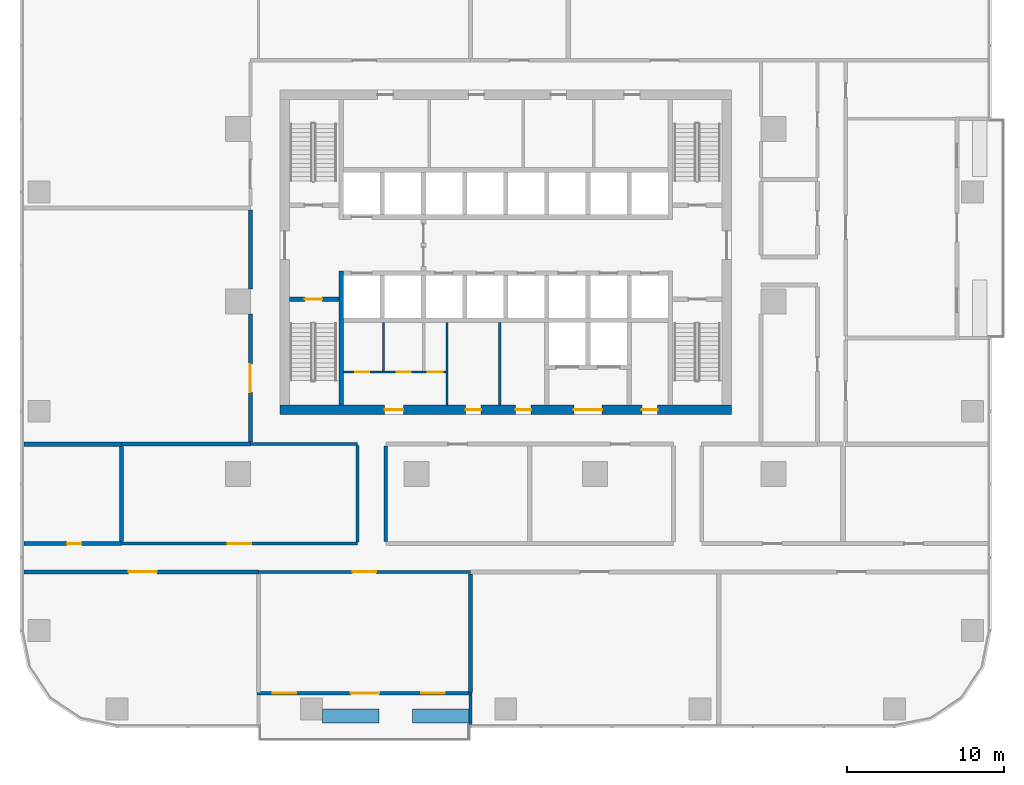
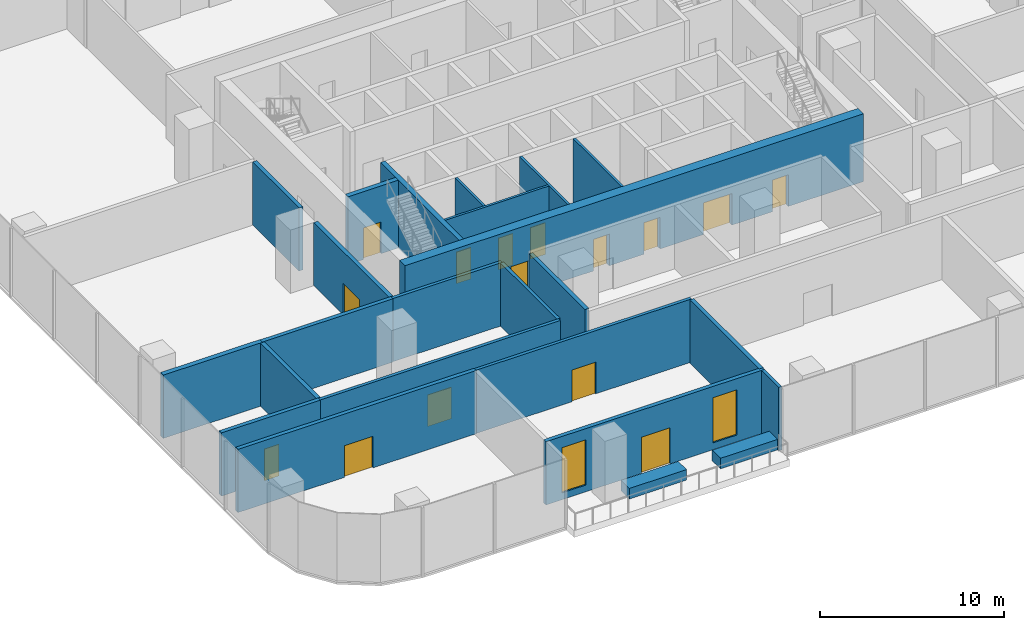
# One storey, part 7 of 15: 24 walls, 15 doors, 2 windows, 17 openings.
"""IFC4 building model written with IfcOpenShell, lengths in metres."""

from ifc_helpers import new_model, si_unit, direction, frame, frame_2d, origin, place, context, subcontext, project, spatial, rectangle, extrude, material, layer, layer_set, type_object, element, fill, save


model = new_model("IFC4")

# Units and contexts
model_context = context("Model", 3, precision=1e-05, world=origin(), true_north=direction((0.0, 1.0)))
body_context = subcontext(model_context, "Body", "Model", "MODEL_VIEW")
ifc_project = project(units=[si_unit("LENGTHUNIT", "METRE"), si_unit("AREAUNIT", "SQUARE_METRE"), si_unit("VOLUMEUNIT", "CUBIC_METRE"), si_unit("PLANEANGLEUNIT", "RADIAN"), si_unit("MASSUNIT", "GRAM", prefix="KILO")], contexts=[model_context])

# Site, building, storey
site_placement = place(None, origin())
site = spatial("IfcSite", under=ifc_project, at=site_placement, CompositionType="ELEMENT")
building_placement = place(site_placement, origin())
building = spatial("IfcBuilding", under=site, at=building_placement, Name="Mopane Tessera Tower", CompositionType="ELEMENT")
storey_placement = place(building_placement, frame((0.0, 0.0, 83.800048828125)))
storey = spatial("IfcBuildingStorey", under=building, at=storey_placement, Name="L16", CompositionType="ELEMENT", Elevation=83.800048828125)

# Wall, openings, doors
ifc_material_1 = material(Name="Fire-rated gypsum board partition")
ifc_layer_1 = layer(ifc_material_1, 0.14990234375)
ifc_layer_set_1 = layer_set([ifc_layer_1], Name="Fire-rated gypsum board partition")
wall_type_1 = type_object("IfcWallType", Name="Core room partition 150 mm", PredefinedType="PARTITIONING", material=ifc_layer_set_1)
wall_1_placement = place(storey_placement, frame((-10.35009765625, -4.5, 0.0), z_axis=(0.0, 0.0, 1.0), x_axis=(1.0, 0.0, 0.0)))
wall_1 = element("IfcWall", 1, at=wall_1_placement, inside=storey, type_object=wall_type_1, Name="L16 WC partition", PredefinedType="PARTITIONING", context=body_context, shape_type="SweptSolid", body=[
    extrude(rectangle(XDim=6.525146484375, YDim=0.14990234375, at=frame_2d((3.2626953125, 0.0))), origin(), (0.0, 0.0, 1.0), 4.5),
])
opening_1_placement = place(wall_1_placement, frame((0.75, 0.0, 0.0)))
opening_1 = element("IfcOpeningElement", 2, at=opening_1_placement, cuts=wall_1, Name="Opening WD1", PredefinedType="OPENING", context=body_context, shape_type="SweptSolid", body=[
    extrude(rectangle(XDim=0.89990234375, YDim=2.10009765625, at=frame_2d((0.449951171875, 1.050048828125))), frame((0.0, 0.0869140625, 0.0), z_axis=(0.0, -1.0, 0.0), x_axis=(1.0, 0.0, 0.0)), (0.0, 0.0, 1.0), 0.173828125),
])
opening_2_placement = place(wall_1_placement, frame((3.382568359375, 0.0, 0.0)))
opening_2 = element("IfcOpeningElement", 3, at=opening_2_placement, cuts=wall_1, Name="Opening WD1", PredefinedType="OPENING", context=body_context, shape_type="SweptSolid", body=[
    extrude(rectangle(XDim=0.89990234375, YDim=2.10009765625, at=frame_2d((0.449951171875, 1.050048828125))), frame((0.0, 0.0869140625, 0.0), z_axis=(0.0, -1.0, 0.0), x_axis=(1.0, 0.0, 0.0)), (0.0, 0.0, 1.0), 0.173828125),
])
opening_3_placement = place(wall_1_placement, frame((5.382568359375, 0.0, 0.0)))
opening_3 = element("IfcOpeningElement", 4, at=opening_3_placement, cuts=wall_1, Name="Opening WD2", PredefinedType="OPENING", context=body_context, shape_type="SweptSolid", body=[
    extrude(rectangle(XDim=0.949951171875, YDim=2.10009765625, at=frame_2d((0.47509765625, 1.050048828125))), frame((0.0, 0.0869140625, 0.0), z_axis=(0.0, -1.0, 0.0), x_axis=(1.0, 0.0, 0.0)), (0.0, 0.0, 1.0), 0.173828125),
])
ifc_material_2 = material(Name="Timber door", Category="wood")
door_type_1 = type_object("IfcDoorType", Name="Accessible WC door 950 x 2100", OperationType="SINGLE_SWING_LEFT", PredefinedType="DOOR", material=ifc_material_2)
door_1_placement = place(opening_3_placement, origin())
door_1 = element("IfcDoor", 5, at=door_1_placement, inside=storey, type_object=door_type_1, Name="L16 Accessible WC door", OperationType="SINGLE_SWING_LEFT", OverallHeight=2.10009765625, OverallWidth=0.949951171875, PredefinedType="DOOR", context=body_context, shape_type="SweptSolid", body=[
    extrude(rectangle(XDim=0.949951171875, YDim=2.10009765625, at=frame_2d((0.47509765625, 1.050048828125))), frame((0.0, 0.02490234375, 0.0), z_axis=(0.0, -1.0, 0.0), x_axis=(1.0, 0.0, 0.0)), (0.0, 0.0, 1.0), 0.050048828125),
])
fill(opening_3, door_1)
ifc_material_3 = material(Name="Timber door", Category="wood")
door_type_2 = type_object("IfcDoorType", Name="WC cubicle door 900 x 2100", OperationType="SINGLE_SWING_LEFT", PredefinedType="DOOR", material=ifc_material_3)
door_2_placement = place(opening_1_placement, origin())
door_2 = element("IfcDoor", 6, at=door_2_placement, inside=storey, type_object=door_type_2, Name="L16 Men's WC door", OperationType="SINGLE_SWING_LEFT", OverallHeight=2.10009765625, OverallWidth=0.89990234375, PredefinedType="DOOR", context=body_context, shape_type="SweptSolid", body=[
    extrude(rectangle(XDim=0.89990234375, YDim=2.10009765625, at=frame_2d((0.449951171875, 1.050048828125))), frame((0.0, 0.02490234375, 0.0), z_axis=(0.0, -1.0, 0.0), x_axis=(1.0, 0.0, 0.0)), (0.0, 0.0, 1.0), 0.050048828125),
])
fill(opening_1, door_2)
door_3_placement = place(opening_2_placement, origin())
door_3 = element("IfcDoor", 7, at=door_3_placement, inside=storey, type_object=door_type_2, Name="L16 Women's WC door", OperationType="SINGLE_SWING_LEFT", OverallHeight=2.10009765625, OverallWidth=0.89990234375, PredefinedType="DOOR", context=body_context, shape_type="SweptSolid", body=[
    extrude(rectangle(XDim=0.89990234375, YDim=2.10009765625, at=frame_2d((0.449951171875, 1.050048828125))), frame((0.0, 0.02490234375, 0.0), z_axis=(0.0, -1.0, 0.0), x_axis=(1.0, 0.0, 0.0)), (0.0, 0.0, 1.0), 0.050048828125),
])
fill(opening_2, door_3)

# Walls
wall_2_placement = place(storey_placement, frame((-7.800048828125, -4.425048828125, 0.0), z_axis=(0.0, 0.0, 1.0), x_axis=(0.0, 1.0, 0.0)))
element("IfcWall", 8, at=wall_2_placement, inside=storey, type_object=wall_type_1, Name="L16 WC partition", PredefinedType="PARTITIONING", context=body_context, shape_type="SweptSolid", body=[
    extrude(rectangle(XDim=3.074951171875, YDim=0.14990234375, at=frame_2d((1.53759765625, 0.0))), origin(), (0.0, 0.0, 1.0), 4.5),
])
for number, where, z_axis, x_axis, name in (
    (9, (-3.75, -6.60009765625, 0.0), (0.0, 0.0, 1.0), (0.0, 1.0, 0.0), "L16 Room partition"),
    (10, (-0.375, -6.60009765625, 0.0), (0.0, 0.0, 1.0), (0.0, 1.0, 0.0), "L16 Room partition"),
):
    element("IfcWall", number, at=place(storey_placement, frame(where, z_axis=z_axis, x_axis=x_axis)), inside=storey, type_object=wall_type_1, Name=name, PredefinedType="PARTITIONING", context=body_context, shape_type="SweptSolid", body=[
        extrude(rectangle(XDim=5.25, YDim=0.14990234375, at=frame_2d((2.625, 0.0))), origin(), (0.0, 0.0, 1.0), 4.5),
    ])

# Wall, openings, doors
ifc_material_4 = material(Name="Concrete C70/85", Category="concrete")
ifc_layer_2 = layer(ifc_material_4, 0.60009765625)
ifc_layer_set_2 = layer_set([ifc_layer_2], Name="Concrete C70/85")
wall_type_2 = type_object("IfcWallType", Name="Core shear wall 600 mm", PredefinedType="SHEAR", material=ifc_layer_set_2)
wall_3_placement = place(storey_placement, frame((-14.39990234375, -6.89990234375, 0.0), z_axis=(0.0, 0.0, 1.0), x_axis=(1.0, 0.0, 0.0)))
wall_3 = element("IfcWall", 11, at=wall_3_placement, inside=storey, type_object=wall_type_2, Name="L16 Core wall south", PredefinedType="SHEAR", context=body_context, shape_type="SweptSolid", body=[
    extrude(rectangle(XDim=28.7998046875, YDim=0.60009765625, at=frame_2d((14.39990234375, 0.0))), origin(), (0.0, 0.0, 1.0), 4.5),
])
opening_4_placement = place(wall_3_placement, frame((6.675048828125, 0.0, 0.0)))
opening_4 = element("IfcOpeningElement", 12, at=opening_4_placement, cuts=wall_3, Name="Opening WD3", PredefinedType="OPENING", context=body_context, shape_type="SweptSolid", body=[
    extrude(rectangle(XDim=1.199951171875, YDim=2.10009765625, at=frame_2d((0.60009765625, 1.050048828125))), frame((0.0, 0.31201171875, 0.0), z_axis=(0.0, -1.0, 0.0), x_axis=(1.0, 0.0, 0.0)), (0.0, 0.0, 1.0), 0.6240234375),
])
opening_5_placement = place(wall_3_placement, frame((11.83740234375, 0.0, 0.0)))
opening_5 = element("IfcOpeningElement", 13, at=opening_5_placement, cuts=wall_3, Name="Opening RD1", PredefinedType="OPENING", context=body_context, shape_type="SweptSolid", body=[
    extrude(rectangle(XDim=1.0, YDim=2.10009765625, at=frame_2d((0.5, 1.050048828125))), frame((0.0, 0.31201171875, 0.0), z_axis=(0.0, -1.0, 0.0), x_axis=(1.0, 0.0, 0.0)), (0.0, 0.0, 1.0), 0.6240234375),
])
opening_6_placement = place(wall_3_placement, frame((15.02490234375, 0.0, 0.0)))
opening_6 = element("IfcOpeningElement", 14, at=opening_6_placement, cuts=wall_3, Name="Opening RD1", PredefinedType="OPENING", context=body_context, shape_type="SweptSolid", body=[
    extrude(rectangle(XDim=1.0, YDim=2.10009765625, at=frame_2d((0.5, 1.050048828125))), frame((0.0, 0.31201171875, 0.0), z_axis=(0.0, -1.0, 0.0), x_axis=(1.0, 0.0, 0.0)), (0.0, 0.0, 1.0), 0.6240234375),
])
opening_7_placement = place(wall_3_placement, frame((18.75, 0.0, 0.0)))
opening_7 = element("IfcOpeningElement", 15, at=opening_7_placement, cuts=wall_3, Name="Opening SD2", PredefinedType="OPENING", context=body_context, shape_type="SweptSolid", body=[
    extrude(rectangle(XDim=1.800048828125, YDim=2.10009765625, at=frame_2d((0.89990234375, 1.050048828125))), frame((0.0, 0.31201171875, 0.0), z_axis=(0.0, -1.0, 0.0), x_axis=(1.0, 0.0, 0.0)), (0.0, 0.0, 1.0), 0.6240234375),
])
opening_8_placement = place(wall_3_placement, frame((23.08740234375, 0.0, 0.0)))
opening_8 = element("IfcOpeningElement", 16, at=opening_8_placement, cuts=wall_3, Name="Opening RD1", PredefinedType="OPENING", context=body_context, shape_type="SweptSolid", body=[
    extrude(rectangle(XDim=1.0, YDim=2.10009765625, at=frame_2d((0.5, 1.050048828125))), frame((0.0, 0.31201171875, 0.0), z_axis=(0.0, -1.0, 0.0), x_axis=(1.0, 0.0, 0.0)), (0.0, 0.0, 1.0), 0.6240234375),
])
ifc_material_5 = material(Name="Steel fire door", Category="steel")
door_type_3 = type_object("IfcDoorType", Name="Core entrance double door 1800 x 2100", OperationType="DOUBLE_DOOR_SINGLE_SWING", PredefinedType="DOOR", material=ifc_material_5)
door_4_placement = place(opening_7_placement, origin())
door_4 = element("IfcDoor", 17, at=door_4_placement, inside=storey, type_object=door_type_3, Name="L16 Service lobby door", OperationType="DOUBLE_DOOR_SINGLE_SWING", OverallHeight=2.10009765625, OverallWidth=1.800048828125, PredefinedType="DOOR", context=body_context, shape_type="SweptSolid", body=[
    extrude(rectangle(XDim=1.800048828125, YDim=2.10009765625, at=frame_2d((0.89990234375, 1.050048828125))), frame((0.0, 0.02490234375, 0.0), z_axis=(0.0, -1.0, 0.0), x_axis=(1.0, 0.0, 0.0)), (0.0, 0.0, 1.0), 0.050048828125),
])
fill(opening_7, door_4)
ifc_material_6 = material(Name="Timber door", Category="wood")
door_type_4 = type_object("IfcDoorType", Name="Core room door 1000 x 2100", OperationType="SINGLE_SWING_LEFT", PredefinedType="DOOR", material=ifc_material_6)
door_5_placement = place(opening_5_placement, origin())
door_5 = element("IfcDoor", 18, at=door_5_placement, inside=storey, type_object=door_type_4, Name="L16 Room door", OperationType="SINGLE_SWING_LEFT", OverallHeight=2.10009765625, OverallWidth=1.0, PredefinedType="DOOR", context=body_context, shape_type="SweptSolid", body=[
    extrude(rectangle(XDim=1.0, YDim=2.10009765625, at=frame_2d((0.5, 1.050048828125))), frame((0.0, 0.02490234375, 0.0), z_axis=(0.0, -1.0, 0.0), x_axis=(1.0, 0.0, 0.0)), (0.0, 0.0, 1.0), 0.050048828125),
])
fill(opening_5, door_5)
door_6_placement = place(opening_6_placement, origin())
door_6 = element("IfcDoor", 19, at=door_6_placement, inside=storey, type_object=door_type_4, Name="L16 Room door", OperationType="SINGLE_SWING_LEFT", OverallHeight=2.10009765625, OverallWidth=1.0, PredefinedType="DOOR", context=body_context, shape_type="SweptSolid", body=[
    extrude(rectangle(XDim=1.0, YDim=2.10009765625, at=frame_2d((0.5, 1.050048828125))), frame((0.0, 0.02490234375, 0.0), z_axis=(0.0, -1.0, 0.0), x_axis=(1.0, 0.0, 0.0)), (0.0, 0.0, 1.0), 0.050048828125),
])
fill(opening_6, door_6)
door_7_placement = place(opening_8_placement, origin())
door_7 = element("IfcDoor", 20, at=door_7_placement, inside=storey, type_object=door_type_4, Name="L16 Room door", OperationType="SINGLE_SWING_LEFT", OverallHeight=2.10009765625, OverallWidth=1.0, PredefinedType="DOOR", context=body_context, shape_type="SweptSolid", body=[
    extrude(rectangle(XDim=1.0, YDim=2.10009765625, at=frame_2d((0.5, 1.050048828125))), frame((0.0, 0.02490234375, 0.0), z_axis=(0.0, -1.0, 0.0), x_axis=(1.0, 0.0, 0.0)), (0.0, 0.0, 1.0), 0.050048828125),
])
fill(opening_8, door_7)
ifc_material_7 = material(Name="Timber door", Category="wood")
door_type_5 = type_object("IfcDoorType", Name="WC lobby door 1200 x 2100", OperationType="SINGLE_SWING_LEFT", PredefinedType="DOOR", material=ifc_material_7)
door_8_placement = place(opening_4_placement, origin())
door_8 = element("IfcDoor", 21, at=door_8_placement, inside=storey, type_object=door_type_5, Name="L16 WC lobby door", OperationType="SINGLE_SWING_LEFT", OverallHeight=2.10009765625, OverallWidth=1.199951171875, PredefinedType="DOOR", context=body_context, shape_type="SweptSolid", body=[
    extrude(rectangle(XDim=1.199951171875, YDim=2.10009765625, at=frame_2d((0.60009765625, 1.050048828125))), frame((0.0, 0.02490234375, 0.0), z_axis=(0.0, -1.0, 0.0), x_axis=(1.0, 0.0, 0.0)), (0.0, 0.0, 1.0), 0.050048828125),
])
fill(opening_4, door_8)

# Wall
ifc_material_8 = material(Name="Concrete C60/75", Category="concrete")
ifc_layer_3 = layer(ifc_material_8, 0.300048828125)
ifc_layer_set_3 = layer_set([ifc_layer_3], Name="Concrete C60/75")
wall_type_3 = type_object("IfcWallType", Name="Core spine wall 300 mm", PredefinedType="SHEAR", material=ifc_layer_set_3)
wall_4_placement = place(storey_placement, frame((-10.5, -6.60009765625, 0.0), z_axis=(0.0, 0.0, 1.0), x_axis=(0.0, 1.0, 0.0)))
element("IfcWall", 22, at=wall_4_placement, inside=storey, type_object=wall_type_3, Name="L16 Core spine wall", PredefinedType="SHEAR", context=body_context, shape_type="SweptSolid", body=[
    extrude(rectangle(XDim=8.550048828125, YDim=0.300048828125, at=frame_2d((4.27490234375, 0.0))), origin(), (0.0, 0.0, 1.0), 4.5),
])

# Wall, opening, door
ifc_material_9 = material(Name="Gypsum board on steel studs, two layers each face, mineral wool infill", Category="steel")
ifc_layer_4 = layer(ifc_material_9, 0.199951171875)
ifc_layer_set_4 = layer_set([ifc_layer_4], Name="Gypsum board on steel studs, two layers each face, mineral wool infill")
wall_type_4 = type_object("IfcWallType", Name="Gypsum board corridor wall 200, rated EI 60", PredefinedType="PARTITIONING", material=ifc_layer_set_4)
wall_5_placement = place(storey_placement, frame((-15.780029296875, -17.25, 0.0), z_axis=(0.0, 0.0, 1.0), x_axis=(1.0, 0.0, 0.0)))
wall_5 = element("IfcWall", 23, at=wall_5_placement, inside=storey, type_object=wall_type_4, Name="Partition L16:000", PredefinedType="PARTITIONING", context=body_context, shape_type="SweptSolid", body=[
    extrude(rectangle(XDim=13.525146484375, YDim=0.199951171875, at=frame_2d((6.7626953125, 0.0))), origin(), (0.0, 0.0, 1.0), 4.199951171875),
])
opening_9_placement = place(wall_5_placement, frame((6.012451171875, 0.0, 0.0)))
opening_9 = element("IfcOpeningElement", 24, at=opening_9_placement, cuts=wall_5, Name="Opening L16-20", PredefinedType="OPENING", context=body_context, shape_type="SweptSolid", body=[
    extrude(rectangle(XDim=1.5, YDim=2.10009765625, at=frame_2d((0.75, 1.050048828125))), frame((0.0, 0.112060546875, 0.0), z_axis=(0.0, -1.0, 0.0), x_axis=(1.0, 0.0, 0.0)), (0.0, 0.0, 1.0), 0.223876953125),
])
ifc_material_10 = material(Name="Timber veneered steel-framed fire door", Category="steel")
door_type_6 = type_object("IfcDoorType", Name="Fire door pair FD60 1500 x 2100", OperationType="DOUBLE_DOOR_SINGLE_SWING", PredefinedType="DOOR", material=ifc_material_10)
door_9_placement = place(opening_9_placement, origin())
door_9 = element("IfcDoor", 25, at=door_9_placement, inside=storey, type_object=door_type_6, Name="Door L16-20", ObjectType="D17A", OperationType="DOUBLE_DOOR_SINGLE_SWING", OverallHeight=2.10009765625, OverallWidth=1.5, PredefinedType="DOOR", context=body_context, shape_type="SweptSolid", body=[
    extrude(rectangle(XDim=1.5, YDim=2.10009765625, at=frame_2d((0.75, 1.050048828125))), frame((0.0, 0.02490234375, 0.0), z_axis=(0.0, -1.0, 0.0), x_axis=(1.0, 0.0, 0.0)), (0.0, 0.0, 1.0), 0.050048828125),
])
fill(opening_9, door_9)

wall_6_placement = place(storey_placement, frame((-24.52490234375, -15.449951171875, 0.0), z_axis=(0.0, 0.0, 1.0), x_axis=(1.0, 0.0, 0.0)))
wall_6 = element("IfcWall", 26, at=wall_6_placement, inside=storey, type_object=wall_type_4, Name="Partition L16:003", PredefinedType="PARTITIONING", context=body_context, shape_type="SweptSolid", body=[
    extrude(rectangle(XDim=15.06982421875, YDim=0.199951171875, at=frame_2d((7.534912109375, 0.0))), origin(), (0.0, 0.0, 1.0), 4.199951171875),
])
opening_10_placement = place(wall_6_placement, frame((6.784912109375, 0.0, 0.0)))
opening_10 = element("IfcOpeningElement", 27, at=opening_10_placement, cuts=wall_6, Name="Opening L16-15", PredefinedType="OPENING", context=body_context, shape_type="SweptSolid", body=[
    extrude(rectangle(XDim=1.5, YDim=2.10009765625, at=frame_2d((0.75, 1.050048828125))), frame((0.0, 0.112060546875, 0.0), z_axis=(0.0, -1.0, 0.0), x_axis=(1.0, 0.0, 0.0)), (0.0, 0.0, 1.0), 0.223876953125),
])
door_10_placement = place(opening_10_placement, origin())
door_10 = element("IfcDoor", 28, at=door_10_placement, inside=storey, type_object=door_type_6, Name="Door L16-15", ObjectType="D17A", OperationType="DOUBLE_DOOR_SINGLE_SWING", OverallHeight=2.10009765625, OverallWidth=1.5, PredefinedType="DOOR", context=body_context, shape_type="SweptSolid", body=[
    extrude(rectangle(XDim=1.5, YDim=2.10009765625, at=frame_2d((0.75, 1.050048828125))), frame((0.0, 0.02490234375, 0.0), z_axis=(0.0, -1.0, 0.0), x_axis=(1.0, 0.0, 0.0)), (0.0, 0.0, 1.0), 0.050048828125),
])
fill(opening_10, door_10)

# Walls
wall_7_placement = place(storey_placement, frame((-16.300048828125, -9.10009765625, 0.0), z_axis=(0.0, 0.0, 1.0), x_axis=(1.0, 0.0, 0.0)))
element("IfcWall", 29, at=wall_7_placement, inside=storey, type_object=wall_type_4, Name="Partition L16:007", PredefinedType="PARTITIONING", context=body_context, shape_type="SweptSolid", body=[
    extrude(rectangle(XDim=6.844970703125, YDim=0.199951171875, at=frame_2d((3.42236328125, 0.0))), origin(), (0.0, 0.0, 1.0), 4.199951171875),
])
wall_8_placement = place(storey_placement, frame((-9.455078125, -15.35009765625, 0.0), z_axis=(0.0, 0.0, 1.0), x_axis=(0.0, 1.0, 0.0)))
element("IfcWall", 30, at=wall_8_placement, inside=storey, type_object=wall_type_4, Name="Partition L16:030", PredefinedType="PARTITIONING", context=body_context, shape_type="SweptSolid", body=[
    extrude(rectangle(XDim=6.150146484375, YDim=0.199951171875, at=frame_2d((3.0751953125, 0.0))), origin(), (0.0, 0.0, 1.0), 4.199951171875),
])

# Wall, opening, door
ifc_material_11 = material(Name="Concrete C50/60", Category="concrete")
ifc_layer_5 = layer(ifc_material_11, 0.300048828125)
ifc_layer_set_5 = layer_set([ifc_layer_5], Name="Concrete C50/60")
wall_type_5 = type_object("IfcWallType", Name="Lift and stair shaft wall 300 mm", PredefinedType="SOLIDWALL", material=ifc_layer_set_5)
wall_9_placement = place(storey_placement, frame((-13.800048828125, 0.14990234375, 0.0), z_axis=(0.0, 0.0, 1.0), x_axis=(1.0, 0.0, 0.0)))
wall_9 = element("IfcWall", 31, at=wall_9_placement, inside=storey, type_object=wall_type_5, Name="L16 Stair enclosure wall", PredefinedType="SOLIDWALL", context=body_context, shape_type="SweptSolid", body=[
    extrude(rectangle(XDim=3.150146484375, YDim=0.300048828125, at=frame_2d((1.5751953125, 0.0))), origin(), (0.0, 0.0, 1.0), 4.5),
])
opening_11_placement = place(wall_9_placement, frame((0.97509765625, 0.0, 0.0)))
opening_11 = element("IfcOpeningElement", 32, at=opening_11_placement, cuts=wall_9, Name="Opening SD1", PredefinedType="OPENING", context=body_context, shape_type="SweptSolid", body=[
    extrude(rectangle(XDim=1.10009765625, YDim=2.10009765625, at=frame_2d((0.550048828125, 1.050048828125))), frame((0.0, 0.162109375, 0.0), z_axis=(0.0, -1.0, 0.0), x_axis=(1.0, 0.0, 0.0)), (0.0, 0.0, 1.0), 0.323974609375),
])
ifc_material_12 = material(Name="Steel fire door", Category="steel")
door_type_7 = type_object("IfcDoorType", Name="Stair fire door 1100 x 2100", OperationType="SINGLE_SWING_LEFT", PredefinedType="DOOR", material=ifc_material_12)
door_11_placement = place(opening_11_placement, origin())
door_11 = element("IfcDoor", 33, at=door_11_placement, inside=storey, type_object=door_type_7, Name="L16 Stair door ST1", OperationType="SINGLE_SWING_LEFT", OverallHeight=2.10009765625, OverallWidth=1.10009765625, PredefinedType="DOOR", context=body_context, shape_type="SweptSolid", body=[
    extrude(rectangle(XDim=1.10009765625, YDim=2.10009765625, at=frame_2d((0.550048828125, 1.050048828125))), frame((0.0, 0.02490234375, 0.0), z_axis=(0.0, -1.0, 0.0), x_axis=(1.0, 0.0, 0.0)), (0.0, 0.0, 1.0), 0.050048828125),
])
fill(opening_11, door_11)

# Walls
ifc_material_13 = material(Name="Reinforced concrete C32/40 with waterproofing", Category="concrete")
ifc_layer_6 = layer(ifc_material_13, 0.89990234375)
ifc_layer_set_6 = layer_set([ifc_layer_6], Name="Reinforced concrete C32/40 with waterproofing")
wall_type_6 = type_object("IfcWallType", Name="Planter trough 3600 x 900", PredefinedType="STANDARD", material=ifc_layer_set_6)
for number, where, z_axis, x_axis, name in (
    (34, (-11.679931640625, -26.449951171875, 0.0), (0.0, 0.0, 1.0), (1.0, 0.0, 0.0), "e:nw:L16:N3:pl0"),
    (35, (-5.95458984375, -26.449951171875, 0.0), (0.0, 0.0, 1.0), (1.0, 0.0, 0.0), "e:nw:L16:N3:pl1"),
):
    element("IfcWall", number, at=place(storey_placement, frame(where, z_axis=z_axis, x_axis=x_axis)), inside=storey, type_object=wall_type_6, Name=name, PredefinedType="STANDARD", context=body_context, shape_type="SweptSolid", body=[
        extrude(rectangle(XDim=3.60009765625, YDim=0.89990234375, at=frame_2d((1.800048828125, 0.0))), origin(), (0.0, 0.0, 1.0), 0.699951171875),
    ])
ifc_material_14 = material(Name="Plastered concrete blockwork C20/25", Category="masonry")
ifc_layer_7 = layer(ifc_material_14, 0.300048828125)
ifc_layer_set_7 = layer_set([ifc_layer_7], Name="Plastered concrete blockwork C20/25")
wall_type_7 = type_object("IfcWallType", Name="Plastered blockwork separation wall 300, rated EI 120", PredefinedType="PARTITIONING", material=ifc_layer_set_7)
wall_10_placement = place(storey_placement, frame((-30.75, -9.10009765625, 0.0), z_axis=(0.0, 0.0, 1.0), x_axis=(1.0, 0.0, 0.0)))
element("IfcWall", 36, at=wall_10_placement, inside=storey, type_object=wall_type_7, Name="Partition L16:012", PredefinedType="PARTITIONING", context=body_context, shape_type="SweptSolid", body=[
    extrude(rectangle(XDim=6.22509765625, YDim=0.300048828125, at=frame_2d((3.112548828125, 0.0))), origin(), (0.0, 0.0, 1.0), 4.199951171875),
])

# Wall, opening, door
ifc_material_15 = material(Name="Plastered concrete blockwork C20/25", Category="masonry")
ifc_layer_8 = layer(ifc_material_15, 0.25)
ifc_layer_set_8 = layer_set([ifc_layer_8], Name="Plastered concrete blockwork C20/25")
wall_type_8 = type_object("IfcWallType", Name="Plastered blockwork wall 250, rated EI 120", PredefinedType="PARTITIONING", material=ifc_layer_set_8)
wall_11_placement = place(storey_placement, frame((-30.75, -17.25, 0.0), z_axis=(0.0, 0.0, 1.0), x_axis=(1.0, 0.0, 0.0)))
wall_11 = element("IfcWall", 37, at=wall_11_placement, inside=storey, type_object=wall_type_8, Name="Partition L16:001", PredefinedType="PARTITIONING", context=body_context, shape_type="SweptSolid", body=[
    extrude(rectangle(XDim=14.969970703125, YDim=0.25, at=frame_2d((7.48486328125, 0.0))), origin(), (0.0, 0.0, 1.0), 4.199951171875),
])
opening_12_placement = place(wall_11_placement, frame((6.68505859375, 0.0, 0.0)))
opening_12 = element("IfcOpeningElement", 38, at=opening_12_placement, cuts=wall_11, Name="Opening L16-05", PredefinedType="OPENING", context=body_context, shape_type="SweptSolid", body=[
    extrude(rectangle(XDim=1.800048828125, YDim=2.10009765625, at=frame_2d((0.89990234375, 1.050048828125))), frame((0.0, 0.136962890625, 0.0), z_axis=(0.0, -1.0, 0.0), x_axis=(1.0, 0.0, 0.0)), (0.0, 0.0, 1.0), 0.27392578125),
])
ifc_material_16 = material(Name="Timber veneered steel-framed fire door", Category="steel")
door_type_8 = type_object("IfcDoorType", Name="Fire door pair FD120 1800 x 2100", OperationType="DOUBLE_DOOR_SINGLE_SWING", PredefinedType="DOOR", material=ifc_material_16)
door_12_placement = place(opening_12_placement, origin())
door_12 = element("IfcDoor", 39, at=door_12_placement, inside=storey, type_object=door_type_8, Name="Door L16-05", ObjectType="D20B", OperationType="DOUBLE_DOOR_SINGLE_SWING", OverallHeight=2.10009765625, OverallWidth=1.800048828125, PredefinedType="DOOR", context=body_context, shape_type="SweptSolid", body=[
    extrude(rectangle(XDim=1.800048828125, YDim=2.10009765625, at=frame_2d((0.89990234375, 1.050048828125))), frame((0.0, 0.02490234375, 0.0), z_axis=(0.0, -1.0, 0.0), x_axis=(1.0, 0.0, 0.0)), (0.0, 0.0, 1.0), 0.050048828125),
])
fill(opening_12, door_12)

wall_12_placement = place(storey_placement, frame((-30.75, -15.449951171875, 0.0), z_axis=(0.0, 0.0, 1.0), x_axis=(1.0, 0.0, 0.0)))
wall_12 = element("IfcWall", 40, at=wall_12_placement, inside=storey, type_object=wall_type_8, Name="Partition L16:004", PredefinedType="PARTITIONING", context=body_context, shape_type="SweptSolid", body=[
    extrude(rectangle(XDim=6.22509765625, YDim=0.25, at=frame_2d((3.112548828125, 0.0))), origin(), (0.0, 0.0, 1.0), 4.199951171875),
])
opening_13_placement = place(wall_12_placement, frame((2.762451171875, 0.0, 0.0)))
opening_13 = element("IfcOpeningElement", 41, at=opening_13_placement, cuts=wall_12, Name="Opening L16-12", PredefinedType="OPENING", context=body_context, shape_type="SweptSolid", body=[
    extrude(rectangle(XDim=0.89990234375, YDim=2.10009765625, at=frame_2d((0.449951171875, 1.050048828125))), frame((0.0, 0.136962890625, 0.0), z_axis=(0.0, -1.0, 0.0), x_axis=(1.0, 0.0, 0.0)), (0.0, 0.0, 1.0), 0.27392578125),
])
ifc_material_17 = material(Name="Timber veneered steel-framed fire door", Category="steel")
door_type_9 = type_object("IfcDoorType", Name="Fire door FD120 900 x 2100", OperationType="SINGLE_SWING_LEFT", PredefinedType="DOOR", material=ifc_material_17)
door_13_placement = place(opening_13_placement, origin())
door_13 = element("IfcDoor", 42, at=door_13_placement, inside=storey, type_object=door_type_9, Name="Door L16-12", ObjectType="D10B", OperationType="SINGLE_SWING_RIGHT", OverallHeight=2.10009765625, OverallWidth=0.89990234375, PredefinedType="DOOR", context=body_context, shape_type="SweptSolid", body=[
    extrude(rectangle(XDim=0.89990234375, YDim=2.10009765625, at=frame_2d((0.449951171875, 1.050048828125))), frame((0.0, 0.02490234375, 0.0), z_axis=(0.0, -1.0, 0.0), x_axis=(1.0, 0.0, 0.0)), (0.0, 0.0, 1.0), 0.050048828125),
])
fill(opening_13, door_13)

# Walls
wall_13_placement = place(storey_placement, frame((-24.52490234375, -9.10009765625, 0.0), z_axis=(0.0, 0.0, 1.0), x_axis=(1.0, 0.0, 0.0)))
element("IfcWall", 43, at=wall_13_placement, inside=storey, type_object=wall_type_8, Name="Partition L16:008", PredefinedType="PARTITIONING", context=body_context, shape_type="SweptSolid", body=[
    extrude(rectangle(XDim=8.224853515625, YDim=0.25, at=frame_2d((4.1123046875, 0.0))), origin(), (0.0, 0.0, 1.0), 4.199951171875),
])
wall_14_placement = place(storey_placement, frame((-24.52490234375, -15.324951171875, 0.0), z_axis=(0.0, 0.0, 1.0), x_axis=(0.0, 1.0, 0.0)))
element("IfcWall", 44, at=wall_14_placement, inside=storey, type_object=wall_type_8, Name="Partition L16:023", PredefinedType="PARTITIONING", context=body_context, shape_type="SweptSolid", body=[
    extrude(rectangle(XDim=6.074951171875, YDim=0.25, at=frame_2d((3.03759765625, 0.0))), origin(), (0.0, 0.0, 1.0), 4.199951171875),
])

# Wall, opening, door
wall_15_placement = place(storey_placement, frame((-16.300048828125, -8.97509765625, 0.0), z_axis=(0.0, 0.0, 1.0), x_axis=(0.0, 1.0, 0.0)))
wall_15 = element("IfcWall", 45, at=wall_15_placement, inside=storey, type_object=wall_type_8, Name="Partition L16:026", PredefinedType="PARTITIONING", context=body_context, shape_type="SweptSolid", body=[
    extrude(rectangle(XDim=8.175048828125, YDim=0.25, at=frame_2d((4.08740234375, 0.0))), origin(), (0.0, 0.0, 1.0), 4.199951171875),
])
opening_14_placement = place(wall_15_placement, frame((3.1875, 0.0, 0.0)))
opening_14 = element("IfcOpeningElement", 46, at=opening_14_placement, cuts=wall_15, Name="Opening L16-07", PredefinedType="OPENING", context=body_context, shape_type="SweptSolid", body=[
    extrude(rectangle(XDim=1.800048828125, YDim=2.10009765625, at=frame_2d((0.89990234375, 1.050048828125))), frame((0.0, 0.136962890625, 0.0), z_axis=(0.0, -1.0, 0.0), x_axis=(1.0, 0.0, 0.0)), (0.0, 0.0, 1.0), 0.27392578125),
])
door_14_placement = place(opening_14_placement, origin())
door_14 = element("IfcDoor", 47, at=door_14_placement, inside=storey, type_object=door_type_8, Name="Door L16-07", ObjectType="D20B", OperationType="DOUBLE_DOOR_SINGLE_SWING", OverallHeight=2.10009765625, OverallWidth=1.800048828125, PredefinedType="DOOR", context=body_context, shape_type="SweptSolid", body=[
    extrude(rectangle(XDim=1.800048828125, YDim=2.10009765625, at=frame_2d((0.89990234375, 1.050048828125))), frame((0.0, 0.02490234375, 0.0), z_axis=(0.0, -1.0, 0.0), x_axis=(1.0, 0.0, 0.0)), (0.0, 0.0, 1.0), 0.050048828125),
])
fill(opening_14, door_14)

# Walls
wall_16_placement = place(storey_placement, frame((-16.300048828125, 0.800048828125, 0.0), z_axis=(0.0, 0.0, 1.0), x_axis=(0.0, 1.0, 0.0)))
element("IfcWall", 48, at=wall_16_placement, inside=storey, type_object=wall_type_8, Name="Partition L16:027", PredefinedType="PARTITIONING", context=body_context, shape_type="SweptSolid", body=[
    extrude(rectangle(XDim=5.034912109375, YDim=0.25, at=frame_2d((2.517578125, 0.0))), origin(), (0.0, 0.0, 1.0), 4.199951171875),
])
wall_17_placement = place(storey_placement, frame((-7.655029296875, -15.324951171875, 0.0), z_axis=(0.0, 0.0, 1.0), x_axis=(0.0, 1.0, 0.0)))
element("IfcWall", 49, at=wall_17_placement, inside=storey, type_object=wall_type_8, Name="Partition L16:031", PredefinedType="PARTITIONING", context=body_context, shape_type="SweptSolid", body=[
    extrude(rectangle(XDim=6.099853515625, YDim=0.25, at=frame_2d((3.0498046875, 0.0))), origin(), (0.0, 0.0, 1.0), 4.199951171875),
])
wall_18_placement = place(storey_placement, frame((-2.2548828125, -24.949951171875, 0.0), z_axis=(0.0, 0.0, 1.0), x_axis=(0.0, 1.0, 0.0)))
element("IfcWall", 50, at=wall_18_placement, inside=storey, type_object=wall_type_8, Name="Partition L16:032", PredefinedType="PARTITIONING", context=body_context, shape_type="SweptSolid", body=[
    extrude(rectangle(XDim=7.574951171875, YDim=0.25, at=frame_2d((3.78759765625, 0.0))), origin(), (0.0, 0.0, 1.0), 4.199951171875),
])
ifc_material_18 = material(Name="Blockwork with glazed tile facing", Category="masonry")
ifc_layer_9 = layer(ifc_material_18, 0.199951171875)
ifc_layer_set_9 = layer_set([ifc_layer_9], Name="Blockwork with glazed tile facing")
wall_type_9 = type_object("IfcWallType", Name="Terrace cheek wall 200", PredefinedType="STANDARD", material=ifc_layer_set_9)
wall_19_placement = place(storey_placement, frame((-2.254638671875, -27.0, 0.0), z_axis=(0.0, 0.0, 1.0), x_axis=(0.0, 1.0, 0.0)))
element("IfcWall", 51, at=wall_19_placement, inside=storey, type_object=wall_type_9, Name="e:nw:L16:N3:cheekb", PredefinedType="STANDARD", context=body_context, shape_type="SweptSolid", body=[
    extrude(rectangle(XDim=1.875, YDim=0.199951171875, at=frame_2d((0.9375, 0.0))), origin(), (0.0, 0.0, 1.0), 4.199951171875),
])

# Wall, openings, windows, door
ifc_material_19 = material(Name="Blockwork with ochre glazed tile facing", Category="masonry")
ifc_layer_10 = layer(ifc_material_19, 0.25)
ifc_layer_set_10 = layer_set([ifc_layer_10], Name="Blockwork with ochre glazed tile facing")
wall_type_10 = type_object("IfcWallType", Name="Tile-clad external wall 250, ochre", PredefinedType="STANDARD", material=ifc_layer_set_10)
wall_20_placement = place(storey_placement, frame((-15.8818359375, -25.0, 0.0), z_axis=(0.0, 0.0, 1.0), x_axis=(1.0, 0.0, 0.0)))
wall_20 = element("IfcWall", 52, at=wall_20_placement, inside=storey, type_object=wall_type_10, Name="e:nw:L16:N3:back", PredefinedType="STANDARD", context=body_context, shape_type="SweptSolid", body=[
    extrude(rectangle(XDim=13.727294921875, YDim=0.25, at=frame_2d((6.86376953125, 0.0))), origin(), (0.0, 0.0, 1.0), 4.199951171875),
])
opening_15_placement = place(wall_20_placement, frame((1.0, 0.0, 0.449951171875)))
opening_15 = element("IfcOpeningElement", 53, at=opening_15_placement, cuts=wall_20, Name="Opening NW163A", PredefinedType="OPENING", context=body_context, shape_type="SweptSolid", body=[
    extrude(rectangle(XDim=1.5, YDim=3.0, at=frame_2d((0.75, 1.5))), frame((0.0, 0.136962890625, 0.0), z_axis=(0.0, -1.0, 0.0), x_axis=(1.0, 0.0, 0.0)), (0.0, 0.0, 1.0), 0.27392578125),
])
opening_16_placement = place(wall_20_placement, frame((6.0, 0.0, 0.0)))
opening_16 = element("IfcOpeningElement", 54, at=opening_16_placement, cuts=wall_20, Name="Opening ND163", PredefinedType="OPENING", context=body_context, shape_type="SweptSolid", body=[
    extrude(rectangle(XDim=1.800048828125, YDim=2.39990234375, at=frame_2d((0.89990234375, 1.199951171875))), frame((0.0, 0.136962890625, 0.0), z_axis=(0.0, -1.0, 0.0), x_axis=(1.0, 0.0, 0.0)), (0.0, 0.0, 1.0), 0.27392578125),
])
opening_17_placement = place(wall_20_placement, frame((10.5, 0.0, 0.449951171875)))
opening_17 = element("IfcOpeningElement", 55, at=opening_17_placement, cuts=wall_20, Name="Opening NW163B", PredefinedType="OPENING", context=body_context, shape_type="SweptSolid", body=[
    extrude(rectangle(XDim=1.5, YDim=3.0, at=frame_2d((0.75, 1.5))), frame((0.0, 0.136962890625, 0.0), z_axis=(0.0, -1.0, 0.0), x_axis=(1.0, 0.0, 0.0)), (0.0, 0.0, 1.0), 0.27392578125),
])
ifc_material_20 = material(Name="Clear laminated glass", Category="glass")
window_type = type_object("IfcWindowType", Name="Fixed window 1500 x 3000", PartitioningType="SINGLE_PANEL", PredefinedType="WINDOW", material=ifc_material_20)
window_1_placement = place(opening_15_placement, origin())
window_1 = element("IfcWindow", 56, at=window_1_placement, inside=storey, type_object=window_type, Name="e:nw:L16:N3:win0", OverallHeight=3.0, OverallWidth=1.5, PartitioningType="SINGLE_PANEL", PredefinedType="WINDOW", context=body_context, shape_type="SweptSolid", body=[
    extrude(rectangle(XDim=1.5, YDim=3.0, at=frame_2d((0.75, 1.5))), frame((0.0, 0.030029296875, 0.0), z_axis=(0.0, -1.0, 0.0), x_axis=(1.0, 0.0, 0.0)), (0.0, 0.0, 1.0), 0.06005859375),
])
fill(opening_15, window_1)
window_2_placement = place(opening_17_placement, origin())
window_2 = element("IfcWindow", 57, at=window_2_placement, inside=storey, type_object=window_type, Name="e:nw:L16:N3:win2", OverallHeight=3.0, OverallWidth=1.5, PartitioningType="SINGLE_PANEL", PredefinedType="WINDOW", context=body_context, shape_type="SweptSolid", body=[
    extrude(rectangle(XDim=1.5, YDim=3.0, at=frame_2d((0.75, 1.5))), frame((0.0, 0.030029296875, 0.0), z_axis=(0.0, -1.0, 0.0), x_axis=(1.0, 0.0, 0.0)), (0.0, 0.0, 1.0), 0.06005859375),
])
fill(opening_17, window_2)
ifc_material_21 = material(Name="Aluminium and clear glass", Category="aluminium")
door_type_10 = type_object("IfcDoorType", Name="Terrace double door 1800 x 2400", OperationType="DOUBLE_DOOR_SINGLE_SWING", PredefinedType="DOOR", material=ifc_material_21)
door_15_placement = place(opening_16_placement, origin())
door_15 = element("IfcDoor", 58, at=door_15_placement, inside=storey, type_object=door_type_10, Name="e:nw:L16:N3:door", ObjectType="D1", OperationType="DOUBLE_DOOR_SINGLE_SWING", OverallHeight=2.39990234375, OverallWidth=1.800048828125, PredefinedType="DOOR", context=body_context, shape_type="SweptSolid", body=[
    extrude(rectangle(XDim=1.800048828125, YDim=2.39990234375, at=frame_2d((0.89990234375, 1.199951171875))), frame((0.0, 0.02490234375, 0.0), z_axis=(0.0, -1.0, 0.0), x_axis=(1.0, 0.0, 0.0)), (0.0, 0.0, 1.0), 0.050048828125),
])
fill(opening_16, door_15)

save(model, "model.ifc")
